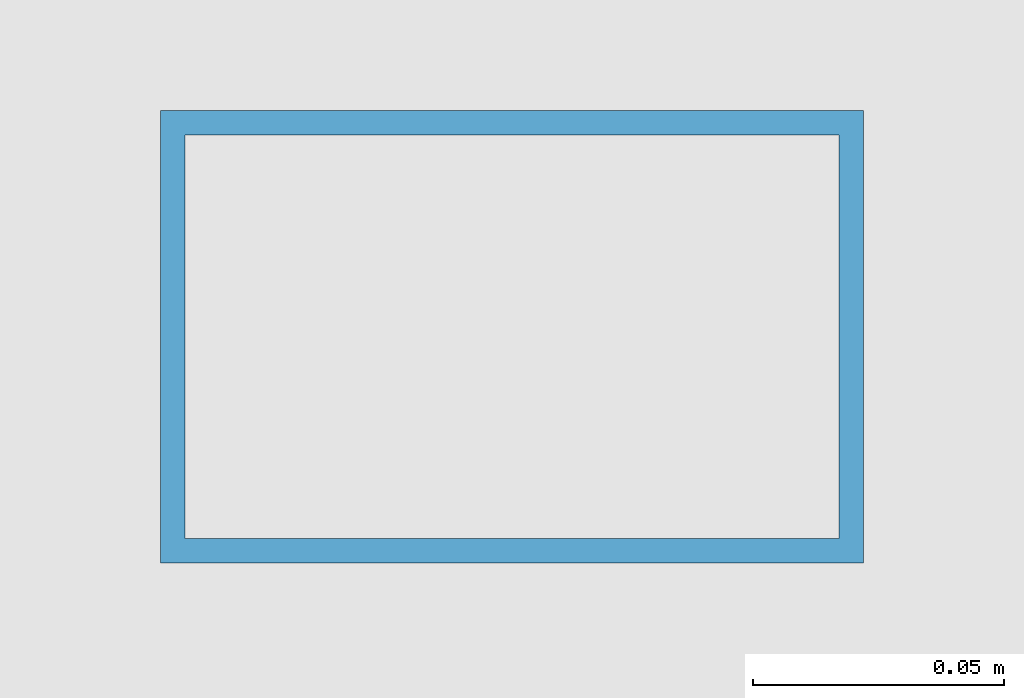
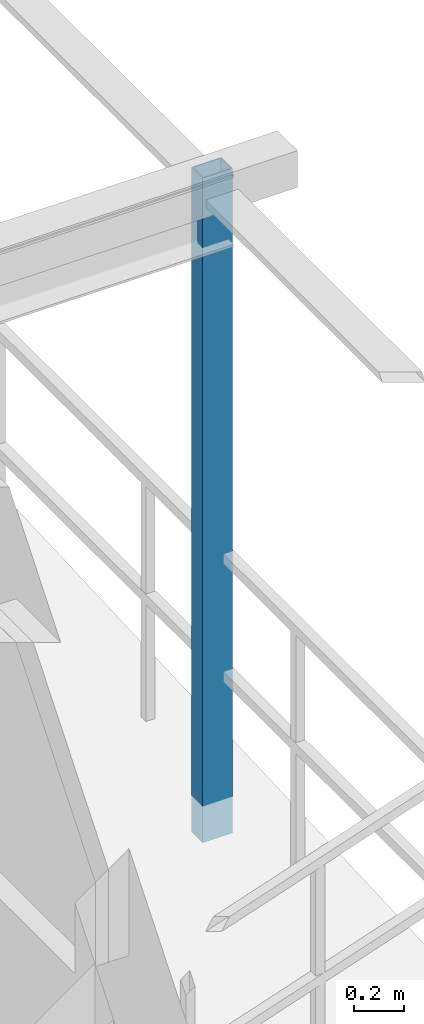
# One storey, part 7 of 23: 1 member.
"""IFC4 building model written with IfcOpenShell, lengths in metres."""

from ifc_helpers import new_model, si_unit, direction, frame, origin, origin_2d, place, context, subcontext, project, spatial, hollow_rectangle, extrude, source, transform, mapped, material, material_profile, profile_set, type_object, element, save


model = new_model("IFC4")

# Units and contexts
model_context = context("Model", 3, precision=1e-05, world=origin(), true_north=direction((0.0, 1.0)))
body_context = subcontext(model_context, "Body", "Model", "MODEL_VIEW")
ifc_project = project(units=[si_unit("LENGTHUNIT", "METRE"), si_unit("AREAUNIT", "SQUARE_METRE"), si_unit("VOLUMEUNIT", "CUBIC_METRE"), si_unit("PLANEANGLEUNIT", "RADIAN"), si_unit("MASSUNIT", "GRAM", prefix="KILO"), si_unit("THERMODYNAMICTEMPERATUREUNIT", "KELVIN"), si_unit("POWERUNIT", "WATT")], contexts=[model_context])

# Site, building, storey
site_placement = place(None, origin())
site = spatial("IfcSite", under=ifc_project, at=site_placement, CompositionType="ELEMENT")
building_placement = place(site_placement, origin())
building = spatial("IfcBuilding", under=site, at=building_placement, Name="Qiaomeng Ring Towers", CompositionType="ELEMENT")
storey_placement = place(building_placement, frame((0.0, 0.0, 82.75)))
storey = spatial("IfcBuildingStorey", under=building, at=storey_placement, Name="L23", CompositionType="ELEMENT", Elevation=82.75)

# Member
ifc_material = material(Name="Stainless steel 316", Category="steel")
ifc_material_profile = material_profile(ifc_material, hollow_rectangle(XDim=0.090087890625, YDim=0.139892578125, WallThickness=0.0048828125, at=origin_2d()), Name="SS TRELLIS 90x140")
ifc_profile_set = profile_set([ifc_material_profile], Name="Stainless steel 316")
member_type = type_object("IfcMemberType", Name="ARC-TR-POST1", PredefinedType="STUD", material=ifc_profile_set)
shared_shape = source(origin(), body_context, "Body", "SweptSolid", [
    extrude(hollow_rectangle(XDim=0.090087890625, YDim=0.139892578125, WallThickness=0.0048828125, at=origin_2d()), origin(), (0.0, 0.0, 1.0), 3.25),
])
member_placement = place(storey_placement, frame((39.489990234375, 20.0, -0.179931640625), z_axis=(0.0, 0.0, 1.0), x_axis=(0.0, 1.0, 0.0)))
element("IfcMember", 1, at=member_placement, inside=storey, type_object=member_type, Name="L23 Outer Ventilated Trellis Post E", PredefinedType="STUD", context=body_context, shape_type="MappedRepresentation", body=[
    mapped(shared_shape, transform((0.0, 0.0, 0.0), x_axis=(1.0, 0.0, 0.0), y_axis=(0.0, 1.0, 0.0), z_axis=(0.0, 0.0, 1.0), scale=1.0)),
])

save(model, "model.ifc")
